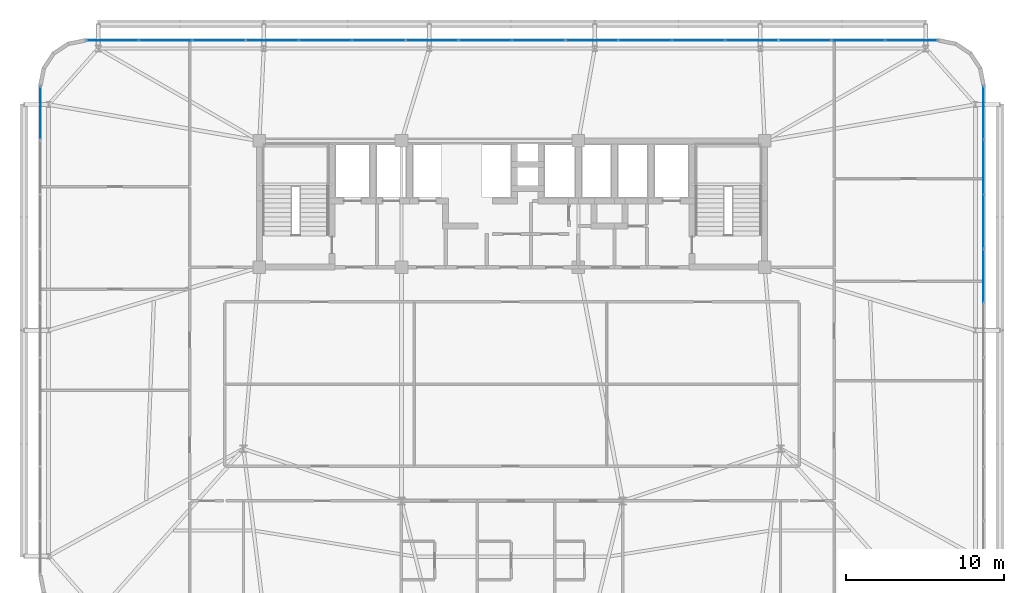
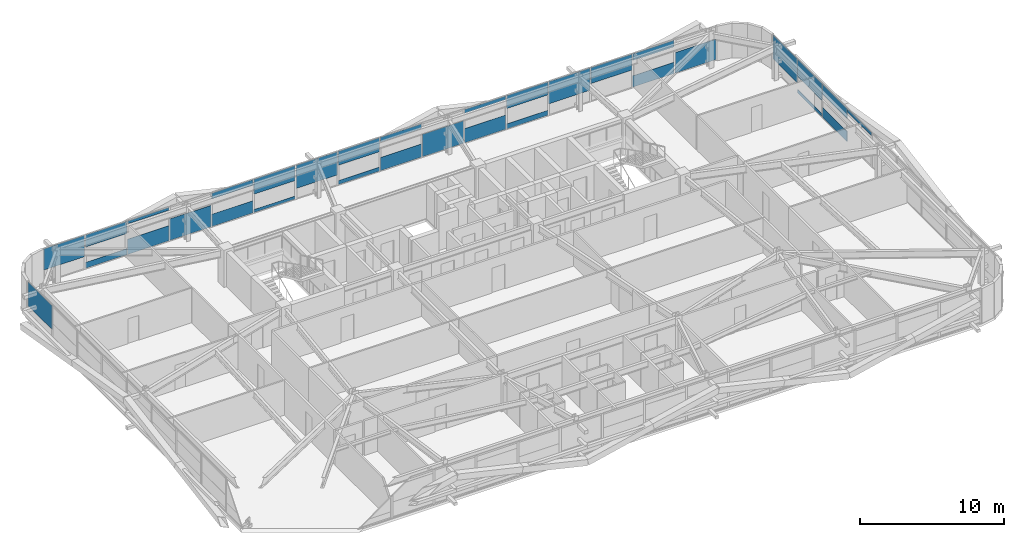
# One storey, part 43 of 59: 32 plates, 3 elements without a shape of their own.
"""IFC4 building model written with IfcOpenShell, lengths in metres."""

from ifc_helpers import new_model, si_unit, direction, frame, origin, origin_2d, place, context, subcontext, project, spatial, rectangle, extrude, source, transform, mapped, material, layer, layer_set, type_object, element, aggregate, save


model = new_model("IFC4")

# Units and contexts
model_context = context("Model", 3, precision=1e-05, world=origin(), true_north=direction((0.0, 1.0)))
body_context = subcontext(model_context, "Body", "Model", "MODEL_VIEW")
ifc_project = project(units=[si_unit("LENGTHUNIT", "METRE"), si_unit("AREAUNIT", "SQUARE_METRE"), si_unit("VOLUMEUNIT", "CUBIC_METRE"), si_unit("PLANEANGLEUNIT", "RADIAN"), si_unit("MASSUNIT", "GRAM", prefix="KILO")], contexts=[model_context])

# Site, building, storey
site_placement = place(None, origin())
site = spatial("IfcSite", under=ifc_project, at=site_placement, CompositionType="ELEMENT")
building_placement = place(site_placement, origin())
building = spatial("IfcBuilding", under=site, at=building_placement, Name="Taldren Reach Tower", CompositionType="ELEMENT")
storey_placement = place(building_placement, frame((0.0, 0.0, 48.300048828125)))
storey = spatial("IfcBuildingStorey", under=building, at=storey_placement, Name="L14", CompositionType="ELEMENT", Elevation=48.300048828125)

# Curtain wall, plates
ifc_material_1 = material(Name="Aluminium and Low-E Glass Unitised System", Category="aluminium")
ifc_layer_1 = layer(ifc_material_1, 0.159912109375)
ifc_layer_set_1 = layer_set([ifc_layer_1], Name="Aluminium and Low-E Glass Unitised System")
curtain_wall_type = type_object("IfcCurtainWallType", Name="CW-SYS-2", PredefinedType="NOTDEFINED", material=ifc_layer_set_1)
curtain_wall_1_placement = place(storey_placement, origin())
curtain_wall_1 = element("IfcCurtainWall", 1, at=curtain_wall_1_placement, inside=storey, type_object=curtain_wall_type, Name="Unitised curtain wall CW-L14-N", PredefinedType="NOTDEFINED")
ifc_material_2 = material(Name="Solar-Control Double Glazed IGU", Category="glass")
ifc_layer_2 = layer(ifc_material_2, 0.031982421875)
ifc_layer_set_2 = layer_set([ifc_layer_2], Name="Solar-Control Double Glazed IGU")
plate_type = type_object("IfcPlateType", Name="CW-PNL-IGU32", PredefinedType="CURTAIN_PANEL", material=ifc_layer_set_2)
shared_shape_1 = source(origin(), body_context, "Body", "SweptSolid", [
    extrude(rectangle(XDim=3.277587890625, YDim=0.031982421875, at=origin_2d()), origin(), (0.0, 0.0, 1.0), 1.73876953125),
])
plate_1_placement = place(storey_placement, frame((60.296142578125, 38.360107421875, 0.054931640625), z_axis=(0.0, 0.0, 1.0), x_axis=(-1.0, 0.0, 0.0)))
plate_1 = element("IfcPlate", 2, at=plate_1_placement, type_object=plate_type, Name="CW-2 panel 1.1 part 1", PredefinedType="CURTAIN_PANEL", context=body_context, shape_type="MappedRepresentation", body=[
    mapped(shared_shape_1, transform((0.0, 0.0, 0.0), scale=1.0)),
])
shared_shape_2 = source(origin(), body_context, "Body", "SweptSolid", [
    extrude(rectangle(XDim=3.31005859375, YDim=0.031982421875, at=origin_2d()), origin(), (0.0, 0.0, 1.0), 0.9560546875),
])
plate_2_placement = place(storey_placement, frame((56.9375, 38.360107421875, 0.054931640625), z_axis=(0.0, 0.0, 1.0), x_axis=(-1.0, 0.0, 0.0)))
plate_2 = element("IfcPlate", 3, at=plate_2_placement, type_object=plate_type, Name="CW-2 panel 2.1 part 1", PredefinedType="CURTAIN_PANEL", context=body_context, shape_type="MappedRepresentation", body=[
    mapped(shared_shape_2, transform((0.0, 0.0, 0.0), scale=1.0)),
])
shared_shape_3 = source(origin(), body_context, "Body", "SweptSolid", [
    extrude(rectangle(XDim=3.31005859375, YDim=0.031982421875, at=origin_2d()), origin(), (0.0, 0.0, 1.0), 0.562744140625),
])
plate_3_placement = place(storey_placement, frame((56.9375, 38.360107421875, 2.31201171875), z_axis=(0.0, 0.0, 1.0), x_axis=(-1.0, 0.0, 0.0)))
plate_3 = element("IfcPlate", 4, at=plate_3_placement, type_object=plate_type, Name="CW-2 panel 2.1 part 2", PredefinedType="CURTAIN_PANEL", context=body_context, shape_type="MappedRepresentation", body=[
    mapped(shared_shape_3, transform((0.0, 0.0, 0.0), scale=1.0)),
])
shared_shape_4 = source(origin(), body_context, "Body", "SweptSolid", [
    extrude(rectangle(XDim=3.31005859375, YDim=0.031982421875, at=origin_2d()), origin(), (0.0, 0.0, 1.0), 1.345458984375),
])
plate_4_placement = place(storey_placement, frame((53.5625, 38.360107421875, 1.529296875), z_axis=(0.0, 0.0, 1.0), x_axis=(-1.0, 0.0, 0.0)))
plate_4 = element("IfcPlate", 5, at=plate_4_placement, type_object=plate_type, Name="CW-2 panel 3.1 part 1", PredefinedType="CURTAIN_PANEL", context=body_context, shape_type="MappedRepresentation", body=[
    mapped(shared_shape_4, transform((0.0, 0.0, 0.0), scale=1.0)),
])
shared_shape_5 = source(origin(), body_context, "Body", "SweptSolid", [
    extrude(rectangle(XDim=3.31005859375, YDim=0.031982421875, at=origin_2d()), origin(), (0.0, 0.0, 1.0), 1.881103515625),
])
plate_5_placement = place(storey_placement, frame((50.1875, 38.360107421875, 0.99365234375), z_axis=(0.0, 0.0, 1.0), x_axis=(-1.0, 0.0, 0.0)))
plate_5 = element("IfcPlate", 6, at=plate_5_placement, type_object=plate_type, Name="CW-2 panel 4.1 part 1", PredefinedType="CURTAIN_PANEL", context=body_context, shape_type="MappedRepresentation", body=[
    mapped(shared_shape_5, transform((0.0, 0.0, 0.0), scale=1.0)),
])
shared_shape_6 = source(origin(), body_context, "Body", "SweptSolid", [
    extrude(rectangle(XDim=3.31005859375, YDim=0.031982421875, at=origin_2d()), origin(), (0.0, 0.0, 1.0), 0.42041015625),
])
plate_6_placement = place(storey_placement, frame((46.8125, 38.360107421875, 0.054931640625), z_axis=(0.0, 0.0, 1.0), x_axis=(-1.0, 0.0, 0.0)))
plate_6 = element("IfcPlate", 7, at=plate_6_placement, type_object=plate_type, Name="CW-2 panel 5.1 part 1", PredefinedType="CURTAIN_PANEL", context=body_context, shape_type="MappedRepresentation", body=[
    mapped(shared_shape_6, transform((0.0, 0.0, 0.0), scale=1.0)),
])
shared_shape_7 = source(origin(), body_context, "Body", "SweptSolid", [
    extrude(rectangle(XDim=3.31005859375, YDim=0.031982421875, at=origin_2d()), origin(), (0.0, 0.0, 1.0), 1.098388671875),
])
plate_7_placement = place(storey_placement, frame((46.8125, 38.360107421875, 1.7763671875), z_axis=(0.0, 0.0, 1.0), x_axis=(-1.0, 0.0, 0.0)))
plate_7 = element("IfcPlate", 8, at=plate_7_placement, type_object=plate_type, Name="CW-2 panel 5.1 part 2", PredefinedType="CURTAIN_PANEL", context=body_context, shape_type="MappedRepresentation", body=[
    mapped(shared_shape_7, transform((0.0, 0.0, 0.0), scale=1.0)),
])
shared_shape_8 = source(origin(), body_context, "Body", "SweptSolid", [
    extrude(rectangle(XDim=3.31005859375, YDim=0.031982421875, at=origin_2d()), origin(), (0.0, 0.0, 1.0), 1.203125),
])
plate_8_placement = place(storey_placement, frame((43.4375, 38.360107421875, 0.054931640625), z_axis=(0.0, 0.0, 1.0), x_axis=(-1.0, 0.0, 0.0)))
plate_8 = element("IfcPlate", 9, at=plate_8_placement, type_object=plate_type, Name="CW-2 panel 6.1 part 1", PredefinedType="CURTAIN_PANEL", context=body_context, shape_type="MappedRepresentation", body=[
    mapped(shared_shape_8, transform((0.0, 0.0, 0.0), scale=1.0)),
])
shared_shape_9 = source(origin(), body_context, "Body", "SweptSolid", [
    extrude(rectangle(XDim=3.31005859375, YDim=0.031982421875, at=origin_2d()), origin(), (0.0, 0.0, 1.0), 0.31591796875),
])
plate_9_placement = place(storey_placement, frame((43.4375, 38.360107421875, 2.55908203125), z_axis=(0.0, 0.0, 1.0), x_axis=(-1.0, 0.0, 0.0)))
plate_9 = element("IfcPlate", 10, at=plate_9_placement, type_object=plate_type, Name="CW-2 panel 6.1 part 2", PredefinedType="CURTAIN_PANEL", context=body_context, shape_type="MappedRepresentation", body=[
    mapped(shared_shape_9, transform((0.0, 0.0, 0.0), scale=1.0)),
])
shared_shape_10 = source(origin(), body_context, "Body", "SweptSolid", [
    extrude(rectangle(XDim=3.31005859375, YDim=0.031982421875, at=origin_2d()), origin(), (0.0, 0.0, 1.0), 1.9033203125),
])
plate_10_placement = place(storey_placement, frame((40.0625, 38.360107421875, 0.054931640625), z_axis=(0.0, 0.0, 1.0), x_axis=(-1.0, 0.0, 0.0)))
plate_10 = element("IfcPlate", 11, at=plate_10_placement, type_object=plate_type, Name="CW-2 panel 7.1 part 1", PredefinedType="CURTAIN_PANEL", context=body_context, shape_type="MappedRepresentation", body=[
    mapped(shared_shape_10, transform((0.0, 0.0, 0.0), scale=1.0)),
])
shared_shape_11 = source(origin(), body_context, "Body", "SweptSolid", [
    extrude(rectangle(XDim=3.31005859375, YDim=0.031982421875, at=origin_2d()), origin(), (0.0, 0.0, 1.0), 1.120849609375),
])
plate_11_placement = place(storey_placement, frame((36.6875, 38.360107421875, 0.0546875), z_axis=(0.0, 0.0, 1.0), x_axis=(-1.0, 0.0, 0.0)))
plate_11 = element("IfcPlate", 12, at=plate_11_placement, type_object=plate_type, Name="CW-2 panel 8.1 part 1", PredefinedType="CURTAIN_PANEL", context=body_context, shape_type="MappedRepresentation", body=[
    mapped(shared_shape_11, transform((0.0, 0.0, 0.0), scale=1.0)),
])
shared_shape_12 = source(origin(), body_context, "Body", "SweptSolid", [
    extrude(rectangle(XDim=3.31005859375, YDim=0.031982421875, at=origin_2d()), origin(), (0.0, 0.0, 1.0), 0.398193359375),
])
plate_12_placement = place(storey_placement, frame((36.6875, 38.360107421875, 2.4765625), z_axis=(0.0, 0.0, 1.0), x_axis=(-1.0, 0.0, 0.0)))
plate_12 = element("IfcPlate", 13, at=plate_12_placement, type_object=plate_type, Name="CW-2 panel 8.1 part 2", PredefinedType="CURTAIN_PANEL", context=body_context, shape_type="MappedRepresentation", body=[
    mapped(shared_shape_12, transform((0.0, 0.0, 0.0), scale=1.0)),
])
shared_shape_13 = source(origin(), body_context, "Body", "SweptSolid", [
    extrude(rectangle(XDim=3.31005859375, YDim=0.031982421875, at=origin_2d()), origin(), (0.0, 0.0, 1.0), 0.338134765625),
])
plate_13_placement = place(storey_placement, frame((33.3125, 38.360107421875, 0.05517578125), z_axis=(0.0, 0.0, 1.0), x_axis=(-1.0, 0.0, 0.0)))
plate_13 = element("IfcPlate", 14, at=plate_13_placement, type_object=plate_type, Name="CW-2 panel 9.1 part 1", PredefinedType="CURTAIN_PANEL", context=body_context, shape_type="MappedRepresentation", body=[
    mapped(shared_shape_13, transform((0.0, 0.0, 0.0), scale=1.0)),
])
shared_shape_14 = source(origin(), body_context, "Body", "SweptSolid", [
    extrude(rectangle(XDim=3.31005859375, YDim=0.031982421875, at=origin_2d()), origin(), (0.0, 0.0, 1.0), 1.1806640625),
])
plate_14_placement = place(storey_placement, frame((33.3125, 38.360107421875, 1.6943359375), z_axis=(0.0, 0.0, 1.0), x_axis=(-1.0, 0.0, 0.0)))
plate_14 = element("IfcPlate", 15, at=plate_14_placement, type_object=plate_type, Name="CW-2 panel 9.1 part 2", PredefinedType="CURTAIN_PANEL", context=body_context, shape_type="MappedRepresentation", body=[
    mapped(shared_shape_14, transform((0.0, 0.0, 0.0), scale=1.0)),
])
shared_shape_15 = source(origin(), body_context, "Body", "SweptSolid", [
    extrude(rectangle(XDim=3.31005859375, YDim=0.031982421875, at=origin_2d()), origin(), (0.0, 0.0, 1.0), 1.96337890625),
])
plate_15_placement = place(storey_placement, frame((29.9375, 38.360107421875, 0.91162109375), z_axis=(0.0, 0.0, 1.0), x_axis=(-1.0, 0.0, 0.0)))
plate_15 = element("IfcPlate", 16, at=plate_15_placement, type_object=plate_type, Name="CW-2 panel 10.1 part 1", PredefinedType="CURTAIN_PANEL", context=body_context, shape_type="MappedRepresentation", body=[
    mapped(shared_shape_15, transform((0.0, 0.0, 0.0), scale=1.0)),
])
shared_shape_16 = source(origin(), body_context, "Body", "SweptSolid", [
    extrude(rectangle(XDim=3.31005859375, YDim=0.031982421875, at=origin_2d()), origin(), (0.0, 0.0, 1.0), 0.255859375),
])
plate_16_placement = place(storey_placement, frame((26.5625, 38.360107421875, 0.054931640625), z_axis=(0.0, 0.0, 1.0), x_axis=(-1.0, 0.0, 0.0)))
plate_16 = element("IfcPlate", 17, at=plate_16_placement, type_object=plate_type, Name="CW-2 panel 11.1 part 1", PredefinedType="CURTAIN_PANEL", context=body_context, shape_type="MappedRepresentation", body=[
    mapped(shared_shape_16, transform((0.0, 0.0, 0.0), scale=1.0)),
])
shared_shape_17 = source(origin(), body_context, "Body", "SweptSolid", [
    extrude(rectangle(XDim=3.31005859375, YDim=0.031982421875, at=origin_2d()), origin(), (0.0, 0.0, 1.0), 1.26318359375),
])
plate_17_placement = place(storey_placement, frame((26.5625, 38.360107421875, 1.61181640625), z_axis=(0.0, 0.0, 1.0), x_axis=(-1.0, 0.0, 0.0)))
plate_17 = element("IfcPlate", 18, at=plate_17_placement, type_object=plate_type, Name="CW-2 panel 11.1 part 2", PredefinedType="CURTAIN_PANEL", context=body_context, shape_type="MappedRepresentation", body=[
    mapped(shared_shape_17, transform((0.0, 0.0, 0.0), scale=1.0)),
])
shared_shape_18 = source(origin(), body_context, "Body", "SweptSolid", [
    extrude(rectangle(XDim=3.31005859375, YDim=0.031982421875, at=origin_2d()), origin(), (0.0, 0.0, 1.0), 1.03857421875),
])
plate_18_placement = place(storey_placement, frame((23.1875, 38.360107421875, 0.054931640625), z_axis=(0.0, 0.0, 1.0), x_axis=(-1.0, 0.0, 0.0)))
plate_18 = element("IfcPlate", 19, at=plate_18_placement, type_object=plate_type, Name="CW-2 panel 12.1 part 1", PredefinedType="CURTAIN_PANEL", context=body_context, shape_type="MappedRepresentation", body=[
    mapped(shared_shape_18, transform((0.0, 0.0, 0.0), scale=1.0)),
])
shared_shape_19 = source(origin(), body_context, "Body", "SweptSolid", [
    extrude(rectangle(XDim=3.31005859375, YDim=0.031982421875, at=origin_2d()), origin(), (0.0, 0.0, 1.0), 0.48046875),
])
plate_19_placement = place(storey_placement, frame((23.1875, 38.360107421875, 2.39453125), z_axis=(0.0, 0.0, 1.0), x_axis=(-1.0, 0.0, 0.0)))
plate_19 = element("IfcPlate", 20, at=plate_19_placement, type_object=plate_type, Name="CW-2 panel 12.1 part 2", PredefinedType="CURTAIN_PANEL", context=body_context, shape_type="MappedRepresentation", body=[
    mapped(shared_shape_19, transform((0.0, 0.0, 0.0), scale=1.0)),
])
shared_shape_20 = source(origin(), body_context, "Body", "SweptSolid", [
    extrude(rectangle(XDim=3.31005859375, YDim=0.031982421875, at=origin_2d()), origin(), (0.0, 0.0, 1.0), 1.821044921875),
])
plate_20_placement = place(storey_placement, frame((19.8125, 38.360107421875, 0.05517578125), z_axis=(0.0, 0.0, 1.0), x_axis=(-1.0, 0.0, 0.0)))
plate_20 = element("IfcPlate", 21, at=plate_20_placement, type_object=plate_type, Name="CW-2 panel 13.1 part 1", PredefinedType="CURTAIN_PANEL", context=body_context, shape_type="MappedRepresentation", body=[
    mapped(shared_shape_20, transform((0.0, 0.0, 0.0), scale=1.0)),
])
shared_shape_21 = source(origin(), body_context, "Body", "SweptSolid", [
    extrude(rectangle(XDim=3.31005859375, YDim=0.031982421875, at=origin_2d()), origin(), (0.0, 0.0, 1.0), 1.285400390625),
])
plate_21_placement = place(storey_placement, frame((16.4375, 38.360107421875, 0.05517578125), z_axis=(0.0, 0.0, 1.0), x_axis=(-1.0, 0.0, 0.0)))
plate_21 = element("IfcPlate", 22, at=plate_21_placement, type_object=plate_type, Name="CW-2 panel 14.1 part 1", PredefinedType="CURTAIN_PANEL", context=body_context, shape_type="MappedRepresentation", body=[
    mapped(shared_shape_21, transform((0.0, 0.0, 0.0), scale=1.0)),
])
shared_shape_22 = source(origin(), body_context, "Body", "SweptSolid", [
    extrude(rectangle(XDim=3.31005859375, YDim=0.031982421875, at=origin_2d()), origin(), (0.0, 0.0, 1.0), 0.233642578125),
])
plate_22_placement = place(storey_placement, frame((16.4375, 38.360107421875, 2.64111328125), z_axis=(0.0, 0.0, 1.0), x_axis=(-1.0, 0.0, 0.0)))
plate_22 = element("IfcPlate", 23, at=plate_22_placement, type_object=plate_type, Name="CW-2 panel 14.1 part 2", PredefinedType="CURTAIN_PANEL", context=body_context, shape_type="MappedRepresentation", body=[
    mapped(shared_shape_22, transform((0.0, 0.0, 0.0), scale=1.0)),
])
shared_shape_23 = source(origin(), body_context, "Body", "SweptSolid", [
    extrude(rectangle(XDim=3.31005859375, YDim=0.031982421875, at=origin_2d()), origin(), (0.0, 0.0, 1.0), 0.5029296875),
])
plate_23_placement = place(storey_placement, frame((13.0625, 38.360107421875, 0.054931640625), z_axis=(0.0, 0.0, 1.0), x_axis=(-1.0, 0.0, 0.0)))
plate_23 = element("IfcPlate", 24, at=plate_23_placement, type_object=plate_type, Name="CW-2 panel 15.1 part 1", PredefinedType="CURTAIN_PANEL", context=body_context, shape_type="MappedRepresentation", body=[
    mapped(shared_shape_23, transform((0.0, 0.0, 0.0), scale=1.0)),
])
shared_shape_24 = source(origin(), body_context, "Body", "SweptSolid", [
    extrude(rectangle(XDim=3.31005859375, YDim=0.031982421875, at=origin_2d()), origin(), (0.0, 0.0, 1.0), 1.01611328125),
])
plate_24_placement = place(storey_placement, frame((13.0625, 38.360107421875, 1.85888671875), z_axis=(0.0, 0.0, 1.0), x_axis=(-1.0, 0.0, 0.0)))
plate_24 = element("IfcPlate", 25, at=plate_24_placement, type_object=plate_type, Name="CW-2 panel 15.1 part 2", PredefinedType="CURTAIN_PANEL", context=body_context, shape_type="MappedRepresentation", body=[
    mapped(shared_shape_24, transform((0.0, 0.0, 0.0), scale=1.0)),
])
shared_shape_25 = source(origin(), body_context, "Body", "SweptSolid", [
    extrude(rectangle(XDim=3.277587890625, YDim=0.031982421875, at=origin_2d()), origin(), (0.0, 0.0, 1.0), 1.798583984375),
])
plate_25_placement = place(storey_placement, frame((9.703857421875, 38.360107421875, 1.076171875), z_axis=(0.0, 0.0, 1.0), x_axis=(-1.0, 0.0, 0.0)))
plate_25 = element("IfcPlate", 26, at=plate_25_placement, type_object=plate_type, Name="CW-2 panel 16.1 part 1", PredefinedType="CURTAIN_PANEL", context=body_context, shape_type="MappedRepresentation", body=[
    mapped(shared_shape_25, transform((0.0, 0.0, 0.0), scale=1.0)),
])
aggregate(curtain_wall_1, [plate_1, plate_2, plate_3, plate_4, plate_5, plate_6, plate_7, plate_8, plate_9, plate_10, plate_11, plate_12, plate_13, plate_14, plate_15, plate_16, plate_17, plate_18, plate_19, plate_20, plate_21, plate_22, plate_23, plate_24, plate_25])

# Curtain wall, plate
curtain_wall_2_placement = place(storey_placement, origin())
curtain_wall_2 = element("IfcCurtainWall", 27, at=curtain_wall_2_placement, inside=storey, type_object=curtain_wall_type, Name="Unitised curtain wall CW-L14-W", PredefinedType="NOTDEFINED")
shared_shape_26 = source(origin(), body_context, "Body", "SweptSolid", [
    extrude(rectangle(XDim=3.346923828125, YDim=0.031982421875, at=origin_2d()), origin(), (0.0, 0.0, 1.0), 2.015380859375),
])
plate_26_placement = place(storey_placement, frame((5.139892578125, 33.761474609375, 0.859375), z_axis=(0.0, 0.0, 1.0), x_axis=(0.0, -1.0, 0.0)))
plate_26 = element("IfcPlate", 28, at=plate_26_placement, type_object=plate_type, Name="CW-2 panel 1.1 part 1", PredefinedType="CURTAIN_PANEL", context=body_context, shape_type="MappedRepresentation", body=[
    mapped(shared_shape_26, transform((0.0, 0.0, 0.0), scale=1.0)),
])
aggregate(curtain_wall_2, [plate_26])

# Curtain wall, plates
curtain_wall_3_placement = place(storey_placement, origin())
curtain_wall_3 = element("IfcCurtainWall", 29, at=curtain_wall_3_placement, inside=storey, type_object=curtain_wall_type, Name="Unitised curtain wall CW-L14-E", PredefinedType="NOTDEFINED")
plate_27_placement = place(storey_placement, frame((64.860107421875, 33.761474609375, 0.859375), z_axis=(0.0, 0.0, 1.0), x_axis=(0.0, 1.0, 0.0)))
plate_27 = element("IfcPlate", 30, at=plate_27_placement, type_object=plate_type, Name="CW-2 panel 9.1 part 1", PredefinedType="CURTAIN_PANEL", context=body_context, shape_type="MappedRepresentation", body=[
    mapped(shared_shape_26, transform((0.0, 0.0, 0.0), scale=1.0)),
])
shared_shape_27 = source(origin(), body_context, "Body", "SweptSolid", [
    extrude(rectangle(XDim=3.37939453125, YDim=0.031982421875, at=origin_2d()), origin(), (0.0, 0.0, 1.0), 0.288330078125),
])
plate_28_placement = place(storey_placement, frame((64.860107421875, 30.333251953125, 0.0546875), z_axis=(0.0, 0.0, 1.0), x_axis=(0.0, 1.0, 0.0)))
plate_28 = element("IfcPlate", 31, at=plate_28_placement, type_object=plate_type, Name="CW-2 panel 8.1 part 1", PredefinedType="CURTAIN_PANEL", context=body_context, shape_type="MappedRepresentation", body=[
    mapped(shared_shape_27, transform((0.0, 0.0, 0.0), scale=1.0)),
])
shared_shape_28 = source(origin(), body_context, "Body", "SweptSolid", [
    extrude(rectangle(XDim=3.37939453125, YDim=0.031982421875, at=origin_2d()), origin(), (0.0, 0.0, 1.0), 1.43017578125),
])
plate_29_placement = place(storey_placement, frame((64.860107421875, 30.333251953125, 1.44482421875), z_axis=(0.0, 0.0, 1.0), x_axis=(0.0, 1.0, 0.0)))
plate_29 = element("IfcPlate", 32, at=plate_29_placement, type_object=plate_type, Name="CW-2 panel 8.1 part 2", PredefinedType="CURTAIN_PANEL", context=body_context, shape_type="MappedRepresentation", body=[
    mapped(shared_shape_28, transform((0.0, 0.0, 0.0), scale=1.0)),
])
shared_shape_29 = source(origin(), body_context, "Body", "SweptSolid", [
    extrude(rectangle(XDim=3.37939453125, YDim=0.031982421875, at=origin_2d()), origin(), (0.0, 0.0, 1.0), 0.87353515625),
])
plate_30_placement = place(storey_placement, frame((64.860107421875, 26.888916015625, 0.054931640625), z_axis=(0.0, 0.0, 1.0), x_axis=(0.0, 1.0, 0.0)))
plate_30 = element("IfcPlate", 33, at=plate_30_placement, type_object=plate_type, Name="CW-2 panel 7.1 part 1", PredefinedType="CURTAIN_PANEL", context=body_context, shape_type="MappedRepresentation", body=[
    mapped(shared_shape_29, transform((0.0, 0.0, 0.0), scale=1.0)),
])
shared_shape_30 = source(origin(), body_context, "Body", "SweptSolid", [
    extrude(rectangle(XDim=3.37939453125, YDim=0.031982421875, at=origin_2d()), origin(), (0.0, 0.0, 1.0), 0.8447265625),
])
plate_31_placement = place(storey_placement, frame((64.860107421875, 26.888916015625, 2.0302734375), z_axis=(0.0, 0.0, 1.0), x_axis=(0.0, 1.0, 0.0)))
plate_31 = element("IfcPlate", 34, at=plate_31_placement, type_object=plate_type, Name="CW-2 panel 7.1 part 2", PredefinedType="CURTAIN_PANEL", context=body_context, shape_type="MappedRepresentation", body=[
    mapped(shared_shape_30, transform((0.0, 0.0, 0.0), scale=1.0)),
])
shared_shape_31 = source(origin(), body_context, "Body", "SweptSolid", [
    extrude(rectangle(XDim=3.37939453125, YDim=0.031982421875, at=origin_2d()), origin(), (0.0, 0.0, 1.0), 0.259521484375),
])
plate_32_placement = place(storey_placement, frame((64.860107421875, 23.4443359375, 2.615234375), z_axis=(0.0, 0.0, 1.0), x_axis=(0.0, 1.0, 0.0)))
plate_32 = element("IfcPlate", 35, at=plate_32_placement, type_object=plate_type, Name="CW-2 panel 6.1 part 2", PredefinedType="CURTAIN_PANEL", context=body_context, shape_type="MappedRepresentation", body=[
    mapped(shared_shape_31, transform((0.0, 0.0, 0.0), scale=1.0)),
])
aggregate(curtain_wall_3, [plate_32, plate_30, plate_31, plate_28, plate_29, plate_27])

save(model, "model.ifc")
